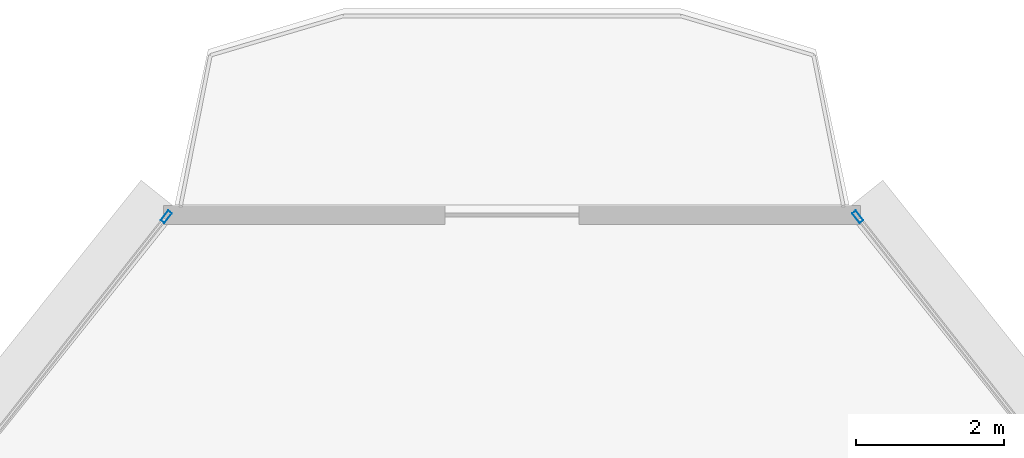
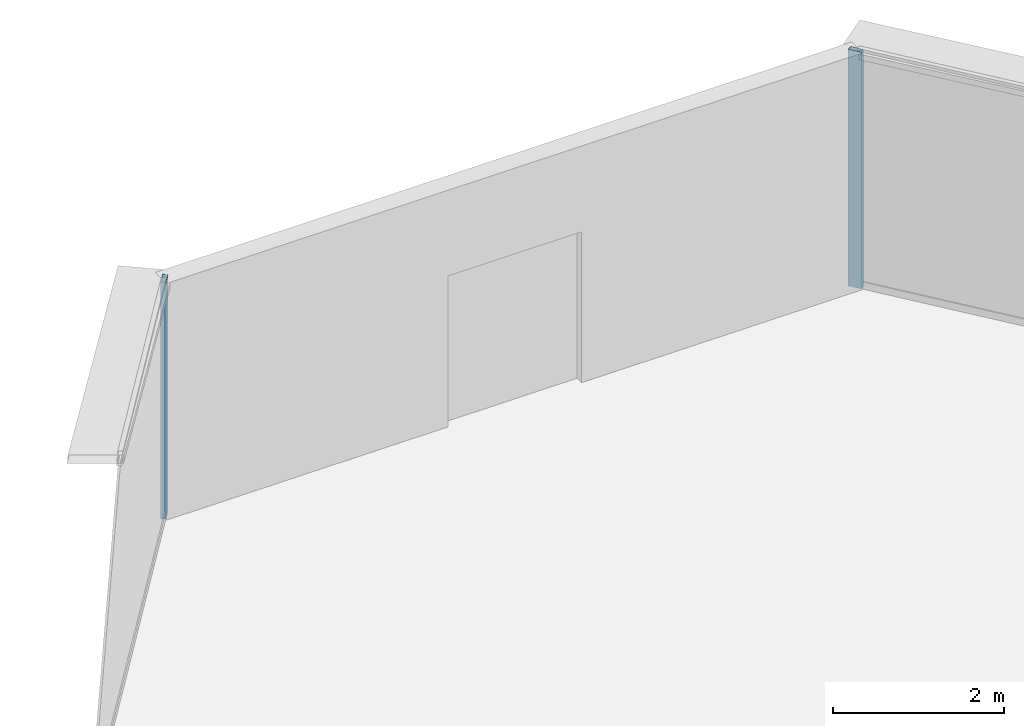
# One storey, part 26 of 40: 2 members, 2 elements without a shape of their own.
"""IFC4 building model written with IfcOpenShell, lengths in metres."""

from ifc_helpers import new_model, si_unit, direction, frame, origin, origin_2d, place, context, subcontext, project, spatial, hollow_rectangle, extrude, source, transform, mapped, material, layer, layer_set, material_profile, profile_set, type_object, element, aggregate, save


model = new_model("IFC4")

# Units and contexts
model_context = context("Model", 3, precision=1e-05, world=origin(), true_north=direction((0.0, 1.0)))
body_context = subcontext(model_context, "Body", "Model", "MODEL_VIEW")
ifc_project = project(units=[si_unit("LENGTHUNIT", "METRE"), si_unit("AREAUNIT", "SQUARE_METRE"), si_unit("VOLUMEUNIT", "CUBIC_METRE"), si_unit("PLANEANGLEUNIT", "RADIAN"), si_unit("MASSUNIT", "GRAM", prefix="KILO"), si_unit("THERMODYNAMICTEMPERATUREUNIT", "KELVIN"), si_unit("POWERUNIT", "WATT")], contexts=[model_context])

# Site, building, storey
site_placement = place(None, origin())
site = spatial("IfcSite", under=ifc_project, at=site_placement, CompositionType="ELEMENT")
building_placement = place(site_placement, origin())
building = spatial("IfcBuilding", under=site, at=building_placement, Name="Yunzhuo Pagoda Commons", CompositionType="ELEMENT")
storey_placement = place(building_placement, frame((0.0, 0.0, 66.699951171875)))
storey = spatial("IfcBuildingStorey", under=building, at=storey_placement, Name="L17", CompositionType="ELEMENT", Elevation=66.699951171875)

# Curtain wall, member
ifc_material = material(Name="Anodized aluminium 6063-T6", Category="aluminium")
ifc_layer = layer(ifc_material, 0.1650390625)
ifc_layer_set = layer_set([ifc_layer], Name="Anodized aluminium 6063-T6")
curtain_wall_type = type_object("IfcCurtainWallType", Name="CW-LOW Low-Zone Ribbon Curtain Wall", PredefinedType="NOTDEFINED", material=ifc_layer_set)
curtain_wall_1_placement = place(storey_placement, origin())
curtain_wall_1 = element("IfcCurtainWall", 1, at=curtain_wall_1_placement, inside=storey, type_object=curtain_wall_type, Name="L17 curtain wall CW-L17-F2B5", PredefinedType="NOTDEFINED")
ifc_material_profile = material_profile(ifc_material, hollow_rectangle(XDim=0.06494140625, YDim=0.1650390625, WallThickness=0.00390625, at=origin_2d()), Name="Anodized aluminium 6063-T6")
ifc_profile_set = profile_set([ifc_material_profile], Name="Anodized aluminium 6063-T6")
member_type = type_object("IfcMemberType", Name="CW-LOW-M Mullion RHS 165x65x4", PredefinedType="MULLION", material=ifc_profile_set)
shared_shape = source(origin(), body_context, "Body", "SweptSolid", [
    extrude(hollow_rectangle(XDim=0.06494140625, YDim=0.1650390625, WallThickness=0.00390625, at=origin_2d()), origin(), (0.0, 0.0, 1.0), 3.3701171875),
])
member_1_placement = place(storey_placement, frame((52.657958984375, 87.709716796875, 0.0), z_axis=(0.0, 0.0, 1.0), x_axis=(-0.78604582322, -0.618168232602, 0.0)))
member_1 = element("IfcMember", 2, at=member_1_placement, type_object=member_type, Name="CW mullion 2", PredefinedType="MULLION", context=body_context, shape_type="MappedRepresentation", body=[
    mapped(shared_shape, transform((0.0, 0.0, 0.0), scale=1.0)),
])
aggregate(curtain_wall_1, [member_1])

curtain_wall_2_placement = place(storey_placement, origin())
curtain_wall_2 = element("IfcCurtainWall", 3, at=curtain_wall_2_placement, inside=storey, type_object=curtain_wall_type, Name="L17 curtain wall CW-L17-F3B1", PredefinedType="NOTDEFINED")
member_2_placement = place(storey_placement, frame((43.342041015625, 87.709716796875, 0.0), z_axis=(0.0, 0.0, 1.0), x_axis=(0.78604582322, -0.618168232602, 0.0)))
member_2 = element("IfcMember", 4, at=member_2_placement, type_object=member_type, Name="CW mullion 1", PredefinedType="MULLION", context=body_context, shape_type="MappedRepresentation", body=[
    mapped(shared_shape, transform((0.0, 0.0, 0.0), scale=1.0)),
])
aggregate(curtain_wall_2, [member_2])

save(model, "model.ifc")
